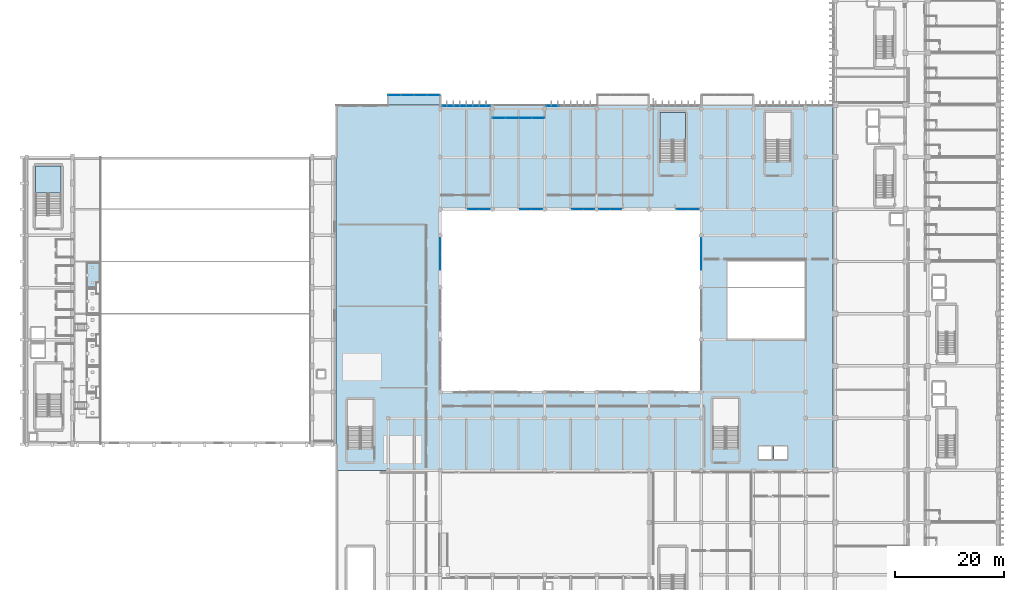
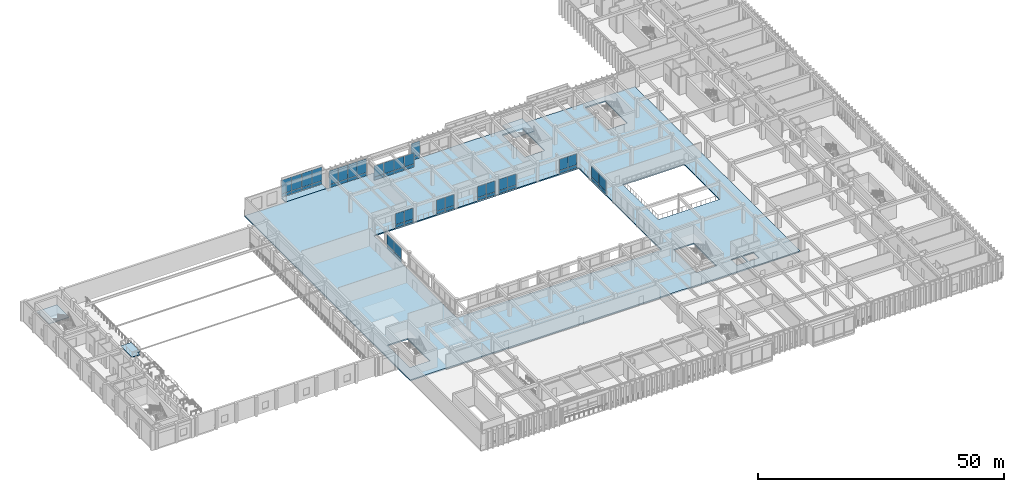
# One storey, part 91 of 133: 54 plates, 5 slabs, 13 elements without a shape of their own.
"""IFC4 building model written with IfcOpenShell, lengths in metres."""

from ifc_helpers import new_model, si_unit, direction, frame, origin, origin_2d, place, context, subcontext, project, spatial, polyline, rectangle, outline, extrude, material, layer, layer_set, type_object, element, aggregate, save


model = new_model("IFC4")

# Units and contexts
model_context = context("Model", 3, precision=1e-05, world=origin(), true_north=direction((0.0, 1.0)))
body_context = subcontext(model_context, "Body", "Model", "MODEL_VIEW")
ifc_project = project(units=[si_unit("LENGTHUNIT", "METRE"), si_unit("AREAUNIT", "SQUARE_METRE"), si_unit("VOLUMEUNIT", "CUBIC_METRE"), si_unit("PLANEANGLEUNIT", "RADIAN"), si_unit("MASSUNIT", "GRAM", prefix="KILO")], contexts=[model_context])

# Site, building, storey
site_placement = place(None, origin())
site = spatial("IfcSite", under=ifc_project, at=site_placement, CompositionType="ELEMENT")
building_placement = place(site_placement, origin())
building = spatial("IfcBuilding", under=site, at=building_placement, Name="Nakhvara Creek Congress Hotel", CompositionType="ELEMENT")
storey_placement = place(building_placement, frame((0.0, 0.0, 11.39990234375)))
storey = spatial("IfcBuildingStorey", under=building, at=storey_placement, Name="L02", CompositionType="ELEMENT", Elevation=11.39990234375)

# Curtain wall, plates
ifc_material_1 = material(Name="Bronze-anodised aluminium AW-6063-T6 and double-silver low-E glass", Category="aluminium")
ifc_layer_1 = layer(ifc_material_1, 0.199951171875)
ifc_layer_set_1 = layer_set([ifc_layer_1], Name="Bronze-anodised aluminium AW-6063-T6 and double-silver low-E glass")
curtain_wall_type_1 = type_object("IfcCurtainWallType", Name="CW-POD-STICK", PredefinedType="NOTDEFINED", material=ifc_layer_set_1)
curtain_wall_1_placement = place(storey_placement, origin())
curtain_wall_1 = element("IfcCurtainWall", 1, at=curtain_wall_1_placement, inside=storey, type_object=curtain_wall_type_1, Name="Curtain Wall CW034", PredefinedType="NOTDEFINED")
ifc_material_2 = material(Name="Double-silver solar-control low-E insulated glass", Category="glass")
plate_type = type_object("IfcPlateType", Name="PNL-GLZ-240X260", PredefinedType="CURTAIN_PANEL", material=ifc_material_2)
plate_1_placement = place(storey_placement, frame((84.9326171875, 76.800048828125, 0.065185546875), z_axis=(0.0, 0.0, 1.0), x_axis=(-1.0, 0.0, 0.0)))
plate_1 = element("IfcPlate", 2, at=plate_1_placement, type_object=plate_type, Name="CW034 panel 1.1", PredefinedType="CURTAIN_PANEL", context=body_context, shape_type="SweptSolid", body=[
    extrude(rectangle(XDim=1.97509765625, YDim=0.030029296875, at=origin_2d()), origin(), (0.0, 0.0, 1.0), 0.75244140625),
])
plate_2_placement = place(storey_placement, frame((84.9326171875, 76.800048828125, 0.8828125), z_axis=(0.0, 0.0, 1.0), x_axis=(-1.0, 0.0, 0.0)))
plate_2 = element("IfcPlate", 3, at=plate_2_placement, type_object=plate_type, Name="CW034 panel 1.2", PredefinedType="CURTAIN_PANEL", context=body_context, shape_type="SweptSolid", body=[
    extrude(rectangle(XDim=1.97509765625, YDim=0.030029296875, at=origin_2d()), origin(), (0.0, 0.0, 1.0), 2.744384765625),
])
plate_3_placement = place(storey_placement, frame((82.892578125, 76.800048828125, 0.065185546875), z_axis=(0.0, 0.0, 1.0), x_axis=(-1.0, 0.0, 0.0)))
plate_3 = element("IfcPlate", 4, at=plate_3_placement, type_object=plate_type, Name="CW034 panel 2.1", PredefinedType="CURTAIN_PANEL", context=body_context, shape_type="SweptSolid", body=[
    extrude(rectangle(XDim=1.97509765625, YDim=0.030029296875, at=origin_2d()), origin(), (0.0, 0.0, 1.0), 0.75244140625),
])
plate_4_placement = place(storey_placement, frame((82.892578125, 76.800048828125, 0.8828125), z_axis=(0.0, 0.0, 1.0), x_axis=(-1.0, 0.0, 0.0)))
plate_4 = element("IfcPlate", 5, at=plate_4_placement, type_object=plate_type, Name="CW034 panel 2.2", PredefinedType="CURTAIN_PANEL", context=body_context, shape_type="SweptSolid", body=[
    extrude(rectangle(XDim=1.97509765625, YDim=0.030029296875, at=origin_2d()), origin(), (0.0, 0.0, 1.0), 2.744384765625),
])
aggregate(curtain_wall_1, [plate_1, plate_2, plate_3, plate_4])

curtain_wall_2_placement = place(storey_placement, origin())
curtain_wall_2 = element("IfcCurtainWall", 6, at=curtain_wall_2_placement, inside=storey, type_object=curtain_wall_type_1, Name="Curtain Wall CW036", PredefinedType="NOTDEFINED")
plate_5_placement = place(storey_placement, frame((94.532470703125, 76.800048828125, 0.065185546875), z_axis=(0.0, 0.0, 1.0), x_axis=(-1.0, 0.0, 0.0)))
plate_5 = element("IfcPlate", 7, at=plate_5_placement, type_object=plate_type, Name="CW036 panel 1.1", PredefinedType="CURTAIN_PANEL", context=body_context, shape_type="SweptSolid", body=[
    extrude(rectangle(XDim=1.97509765625, YDim=0.030029296875, at=origin_2d()), origin(), (0.0, 0.0, 1.0), 0.75244140625),
])
plate_6_placement = place(storey_placement, frame((94.532470703125, 76.800048828125, 0.8828125), z_axis=(0.0, 0.0, 1.0), x_axis=(-1.0, 0.0, 0.0)))
plate_6 = element("IfcPlate", 8, at=plate_6_placement, type_object=plate_type, Name="CW036 panel 1.2", PredefinedType="CURTAIN_PANEL", context=body_context, shape_type="SweptSolid", body=[
    extrude(rectangle(XDim=1.97509765625, YDim=0.030029296875, at=origin_2d()), origin(), (0.0, 0.0, 1.0), 2.744384765625),
])
plate_7_placement = place(storey_placement, frame((92.492431640625, 76.800048828125, 0.065185546875), z_axis=(0.0, 0.0, 1.0), x_axis=(-1.0, 0.0, 0.0)))
plate_7 = element("IfcPlate", 9, at=plate_7_placement, type_object=plate_type, Name="CW036 panel 2.1", PredefinedType="CURTAIN_PANEL", context=body_context, shape_type="SweptSolid", body=[
    extrude(rectangle(XDim=1.97509765625, YDim=0.030029296875, at=origin_2d()), origin(), (0.0, 0.0, 1.0), 0.75244140625),
])
plate_8_placement = place(storey_placement, frame((92.492431640625, 76.800048828125, 0.8828125), z_axis=(0.0, 0.0, 1.0), x_axis=(-1.0, 0.0, 0.0)))
plate_8 = element("IfcPlate", 10, at=plate_8_placement, type_object=plate_type, Name="CW036 panel 2.2", PredefinedType="CURTAIN_PANEL", context=body_context, shape_type="SweptSolid", body=[
    extrude(rectangle(XDim=1.97509765625, YDim=0.030029296875, at=origin_2d()), origin(), (0.0, 0.0, 1.0), 2.744384765625),
])
aggregate(curtain_wall_2, [plate_5, plate_6, plate_7, plate_8])

curtain_wall_3_placement = place(storey_placement, origin())
curtain_wall_3 = element("IfcCurtainWall", 11, at=curtain_wall_3_placement, inside=storey, type_object=curtain_wall_type_1, Name="Curtain Wall CW038", PredefinedType="NOTDEFINED")
plate_9_placement = place(storey_placement, frame((104.132568359375, 76.800048828125, 0.065185546875), z_axis=(0.0, 0.0, 1.0), x_axis=(-1.0, 0.0, 0.0)))
plate_9 = element("IfcPlate", 12, at=plate_9_placement, type_object=plate_type, Name="CW038 panel 1.1", PredefinedType="CURTAIN_PANEL", context=body_context, shape_type="SweptSolid", body=[
    extrude(rectangle(XDim=1.97509765625, YDim=0.030029296875, at=origin_2d()), origin(), (0.0, 0.0, 1.0), 0.75244140625),
])
plate_10_placement = place(storey_placement, frame((104.132568359375, 76.800048828125, 0.8828125), z_axis=(0.0, 0.0, 1.0), x_axis=(-1.0, 0.0, 0.0)))
plate_10 = element("IfcPlate", 13, at=plate_10_placement, type_object=plate_type, Name="CW038 panel 1.2", PredefinedType="CURTAIN_PANEL", context=body_context, shape_type="SweptSolid", body=[
    extrude(rectangle(XDim=1.97509765625, YDim=0.030029296875, at=origin_2d()), origin(), (0.0, 0.0, 1.0), 2.744384765625),
])
plate_11_placement = place(storey_placement, frame((102.092529296875, 76.800048828125, 0.065185546875), z_axis=(0.0, 0.0, 1.0), x_axis=(-1.0, 0.0, 0.0)))
plate_11 = element("IfcPlate", 14, at=plate_11_placement, type_object=plate_type, Name="CW038 panel 2.1", PredefinedType="CURTAIN_PANEL", context=body_context, shape_type="SweptSolid", body=[
    extrude(rectangle(XDim=1.97509765625, YDim=0.030029296875, at=origin_2d()), origin(), (0.0, 0.0, 1.0), 0.75244140625),
])
plate_12_placement = place(storey_placement, frame((102.092529296875, 76.800048828125, 0.8828125), z_axis=(0.0, 0.0, 1.0), x_axis=(-1.0, 0.0, 0.0)))
plate_12 = element("IfcPlate", 15, at=plate_12_placement, type_object=plate_type, Name="CW038 panel 2.2", PredefinedType="CURTAIN_PANEL", context=body_context, shape_type="SweptSolid", body=[
    extrude(rectangle(XDim=1.97509765625, YDim=0.030029296875, at=origin_2d()), origin(), (0.0, 0.0, 1.0), 2.744384765625),
])
aggregate(curtain_wall_3, [plate_9, plate_10, plate_11, plate_12])

curtain_wall_4_placement = place(storey_placement, origin())
curtain_wall_4 = element("IfcCurtainWall", 16, at=curtain_wall_4_placement, inside=storey, type_object=curtain_wall_type_1, Name="Curtain Wall CW040", PredefinedType="NOTDEFINED")
plate_13_placement = place(storey_placement, frame((109.107421875, 76.800048828125, 0.065185546875), z_axis=(0.0, 0.0, 1.0), x_axis=(-1.0, 0.0, 0.0)))
plate_13 = element("IfcPlate", 17, at=plate_13_placement, type_object=plate_type, Name="CW040 panel 1.1", PredefinedType="CURTAIN_PANEL", context=body_context, shape_type="SweptSolid", body=[
    extrude(rectangle(XDim=1.97509765625, YDim=0.030029296875, at=origin_2d()), origin(), (0.0, 0.0, 1.0), 0.75244140625),
])
plate_14_placement = place(storey_placement, frame((109.107421875, 76.800048828125, 0.8828125), z_axis=(0.0, 0.0, 1.0), x_axis=(-1.0, 0.0, 0.0)))
plate_14 = element("IfcPlate", 18, at=plate_14_placement, type_object=plate_type, Name="CW040 panel 1.2", PredefinedType="CURTAIN_PANEL", context=body_context, shape_type="SweptSolid", body=[
    extrude(rectangle(XDim=1.97509765625, YDim=0.030029296875, at=origin_2d()), origin(), (0.0, 0.0, 1.0), 2.744384765625),
])
plate_15_placement = place(storey_placement, frame((107.0673828125, 76.800048828125, 0.065185546875), z_axis=(0.0, 0.0, 1.0), x_axis=(-1.0, 0.0, 0.0)))
plate_15 = element("IfcPlate", 19, at=plate_15_placement, type_object=plate_type, Name="CW040 panel 2.1", PredefinedType="CURTAIN_PANEL", context=body_context, shape_type="SweptSolid", body=[
    extrude(rectangle(XDim=1.97509765625, YDim=0.030029296875, at=origin_2d()), origin(), (0.0, 0.0, 1.0), 0.75244140625),
])
plate_16_placement = place(storey_placement, frame((107.0673828125, 76.800048828125, 0.8828125), z_axis=(0.0, 0.0, 1.0), x_axis=(-1.0, 0.0, 0.0)))
plate_16 = element("IfcPlate", 20, at=plate_16_placement, type_object=plate_type, Name="CW040 panel 2.2", PredefinedType="CURTAIN_PANEL", context=body_context, shape_type="SweptSolid", body=[
    extrude(rectangle(XDim=1.97509765625, YDim=0.030029296875, at=origin_2d()), origin(), (0.0, 0.0, 1.0), 2.744384765625),
])
aggregate(curtain_wall_4, [plate_13, plate_14, plate_15, plate_16])

curtain_wall_5_placement = place(storey_placement, origin())
curtain_wall_5 = element("IfcCurtainWall", 21, at=curtain_wall_5_placement, inside=storey, type_object=curtain_wall_type_1, Name="Curtain Wall CW042", PredefinedType="NOTDEFINED")
plate_17_placement = place(storey_placement, frame((123.33251953125, 76.800048828125, 0.065185546875), z_axis=(0.0, 0.0, 1.0), x_axis=(-1.0, 0.0, 0.0)))
plate_17 = element("IfcPlate", 22, at=plate_17_placement, type_object=plate_type, Name="CW042 panel 1.1", PredefinedType="CURTAIN_PANEL", context=body_context, shape_type="SweptSolid", body=[
    extrude(rectangle(XDim=1.97509765625, YDim=0.030029296875, at=origin_2d()), origin(), (0.0, 0.0, 1.0), 0.75244140625),
])
plate_18_placement = place(storey_placement, frame((123.33251953125, 76.800048828125, 0.8828125), z_axis=(0.0, 0.0, 1.0), x_axis=(-1.0, 0.0, 0.0)))
plate_18 = element("IfcPlate", 23, at=plate_18_placement, type_object=plate_type, Name="CW042 panel 1.2", PredefinedType="CURTAIN_PANEL", context=body_context, shape_type="SweptSolid", body=[
    extrude(rectangle(XDim=1.97509765625, YDim=0.030029296875, at=origin_2d()), origin(), (0.0, 0.0, 1.0), 2.744384765625),
])
plate_19_placement = place(storey_placement, frame((121.29248046875, 76.800048828125, 0.065185546875), z_axis=(0.0, 0.0, 1.0), x_axis=(-1.0, 0.0, 0.0)))
plate_19 = element("IfcPlate", 24, at=plate_19_placement, type_object=plate_type, Name="CW042 panel 2.1", PredefinedType="CURTAIN_PANEL", context=body_context, shape_type="SweptSolid", body=[
    extrude(rectangle(XDim=1.97509765625, YDim=0.030029296875, at=origin_2d()), origin(), (0.0, 0.0, 1.0), 0.75244140625),
])
plate_20_placement = place(storey_placement, frame((121.29248046875, 76.800048828125, 0.8828125), z_axis=(0.0, 0.0, 1.0), x_axis=(-1.0, 0.0, 0.0)))
plate_20 = element("IfcPlate", 25, at=plate_20_placement, type_object=plate_type, Name="CW042 panel 2.2", PredefinedType="CURTAIN_PANEL", context=body_context, shape_type="SweptSolid", body=[
    extrude(rectangle(XDim=1.97509765625, YDim=0.030029296875, at=origin_2d()), origin(), (0.0, 0.0, 1.0), 2.744384765625),
])
aggregate(curtain_wall_5, [plate_17, plate_18, plate_19, plate_20])

curtain_wall_6_placement = place(storey_placement, origin())
curtain_wall_6 = element("IfcCurtainWall", 26, at=curtain_wall_6_placement, inside=storey, type_object=curtain_wall_type_1, Name="Curtain Wall CW047", PredefinedType="NOTDEFINED")
plate_21_placement = place(storey_placement, frame((76.800048828125, 70.072509765625, 0.065185546875), z_axis=(0.0, 0.0, 1.0), x_axis=(0.0, -1.0, 0.0)))
plate_21 = element("IfcPlate", 27, at=plate_21_placement, type_object=plate_type, Name="CW047 panel 1.1", PredefinedType="CURTAIN_PANEL", context=body_context, shape_type="SweptSolid", body=[
    extrude(rectangle(XDim=2.89501953125, YDim=0.030029296875, at=origin_2d()), origin(), (0.0, 0.0, 1.0), 0.75244140625),
])
plate_22_placement = place(storey_placement, frame((76.800048828125, 70.072509765625, 0.8828125), z_axis=(0.0, 0.0, 1.0), x_axis=(0.0, -1.0, 0.0)))
plate_22 = element("IfcPlate", 28, at=plate_22_placement, type_object=plate_type, Name="CW047 panel 1.2", PredefinedType="CURTAIN_PANEL", context=body_context, shape_type="SweptSolid", body=[
    extrude(rectangle(XDim=2.89501953125, YDim=0.030029296875, at=origin_2d()), origin(), (0.0, 0.0, 1.0), 2.744384765625),
])
plate_23_placement = place(storey_placement, frame((76.800048828125, 67.112548828125, 0.065185546875), z_axis=(0.0, 0.0, 1.0), x_axis=(0.0, -1.0, 0.0)))
plate_23 = element("IfcPlate", 29, at=plate_23_placement, type_object=plate_type, Name="CW047 panel 2.1", PredefinedType="CURTAIN_PANEL", context=body_context, shape_type="SweptSolid", body=[
    extrude(rectangle(XDim=2.89501953125, YDim=0.030029296875, at=origin_2d()), origin(), (0.0, 0.0, 1.0), 0.75244140625),
])
plate_24_placement = place(storey_placement, frame((76.800048828125, 67.112548828125, 0.8828125), z_axis=(0.0, 0.0, 1.0), x_axis=(0.0, -1.0, 0.0)))
plate_24 = element("IfcPlate", 30, at=plate_24_placement, type_object=plate_type, Name="CW047 panel 2.2", PredefinedType="CURTAIN_PANEL", context=body_context, shape_type="SweptSolid", body=[
    extrude(rectangle(XDim=2.89501953125, YDim=0.030029296875, at=origin_2d()), origin(), (0.0, 0.0, 1.0), 2.744384765625),
])
aggregate(curtain_wall_6, [plate_21, plate_22, plate_23, plate_24])

curtain_wall_7_placement = place(storey_placement, origin())
curtain_wall_7 = element("IfcCurtainWall", 31, at=curtain_wall_7_placement, inside=storey, type_object=curtain_wall_type_1, Name="Curtain Wall CW048", PredefinedType="NOTDEFINED")
plate_25_placement = place(storey_placement, frame((124.800048828125, 67.112548828125, 0.065185546875), z_axis=(0.0, 0.0, 1.0), x_axis=(0.0, 1.0, 0.0)))
plate_25 = element("IfcPlate", 32, at=plate_25_placement, type_object=plate_type, Name="CW048 panel 1.1", PredefinedType="CURTAIN_PANEL", context=body_context, shape_type="SweptSolid", body=[
    extrude(rectangle(XDim=2.89501953125, YDim=0.030029296875, at=origin_2d()), origin(), (0.0, 0.0, 1.0), 0.75244140625),
])
plate_26_placement = place(storey_placement, frame((124.800048828125, 67.112548828125, 0.8828125), z_axis=(0.0, 0.0, 1.0), x_axis=(0.0, 1.0, 0.0)))
plate_26 = element("IfcPlate", 33, at=plate_26_placement, type_object=plate_type, Name="CW048 panel 1.2", PredefinedType="CURTAIN_PANEL", context=body_context, shape_type="SweptSolid", body=[
    extrude(rectangle(XDim=2.89501953125, YDim=0.030029296875, at=origin_2d()), origin(), (0.0, 0.0, 1.0), 2.744384765625),
])
plate_27_placement = place(storey_placement, frame((124.800048828125, 70.072509765625, 0.065185546875), z_axis=(0.0, 0.0, 1.0), x_axis=(0.0, 1.0, 0.0)))
plate_27 = element("IfcPlate", 34, at=plate_27_placement, type_object=plate_type, Name="CW048 panel 2.1", PredefinedType="CURTAIN_PANEL", context=body_context, shape_type="SweptSolid", body=[
    extrude(rectangle(XDim=2.89501953125, YDim=0.030029296875, at=origin_2d()), origin(), (0.0, 0.0, 1.0), 0.75244140625),
])
plate_28_placement = place(storey_placement, frame((124.800048828125, 70.072509765625, 0.8828125), z_axis=(0.0, 0.0, 1.0), x_axis=(0.0, 1.0, 0.0)))
plate_28 = element("IfcPlate", 35, at=plate_28_placement, type_object=plate_type, Name="CW048 panel 2.2", PredefinedType="CURTAIN_PANEL", context=body_context, shape_type="SweptSolid", body=[
    extrude(rectangle(XDim=2.89501953125, YDim=0.030029296875, at=origin_2d()), origin(), (0.0, 0.0, 1.0), 2.744384765625),
])
aggregate(curtain_wall_7, [plate_25, plate_26, plate_27, plate_28])

ifc_layer_2 = layer(ifc_material_1, 0.219970703125)
ifc_layer_set_2 = layer_set([ifc_layer_2], Name="Bronze-anodised aluminium AW-6063-T6 and double-silver low-E glass")
curtain_wall_type_2 = type_object("IfcCurtainWallType", Name="CW-BOX-PROJ", PredefinedType="USERDEFINED", material=ifc_layer_set_2)
curtain_wall_8_placement = place(storey_placement, origin())
curtain_wall_8 = element("IfcCurtainWall", 36, at=curtain_wall_8_placement, inside=storey, type_object=curtain_wall_type_2, Name="Curtain Wall CW081", ObjectType="UNITISED", PredefinedType="USERDEFINED")
plate_29_placement = place(storey_placement, frame((68.419921875, 97.800048828125, 0.0751953125), z_axis=(0.0, 0.0, 1.0), x_axis=(1.0, 0.0, 0.0)))
plate_29 = element("IfcPlate", 37, at=plate_29_placement, type_object=plate_type, Name="CW081 panel 1.1", PredefinedType="CURTAIN_PANEL", context=body_context, shape_type="SweptSolid", body=[
    extrude(rectangle(XDim=2.280029296875, YDim=0.030029296875, at=origin_2d()), origin(), (0.0, 0.0, 1.0), 0.737548828125),
])
plate_30_placement = place(storey_placement, frame((68.419921875, 97.800048828125, 0.8876953125), z_axis=(0.0, 0.0, 1.0), x_axis=(1.0, 0.0, 0.0)))
plate_30 = element("IfcPlate", 38, at=plate_30_placement, type_object=plate_type, Name="CW081 panel 1.2", PredefinedType="CURTAIN_PANEL", context=body_context, shape_type="SweptSolid", body=[
    extrude(rectangle(XDim=2.280029296875, YDim=0.030029296875, at=origin_2d()), origin(), (0.0, 0.0, 1.0), 3.427490234375),
])
plate_31_placement = place(storey_placement, frame((70.800048828125, 97.800048828125, 0.0751953125), z_axis=(0.0, 0.0, 1.0), x_axis=(1.0, 0.0, 0.0)))
plate_31 = element("IfcPlate", 39, at=plate_31_placement, type_object=plate_type, Name="CW081 panel 2.1", PredefinedType="CURTAIN_PANEL", context=body_context, shape_type="SweptSolid", body=[
    extrude(rectangle(XDim=2.320068359375, YDim=0.030029296875, at=origin_2d()), origin(), (0.0, 0.0, 1.0), 0.737548828125),
])
plate_32_placement = place(storey_placement, frame((70.800048828125, 97.800048828125, 0.8876953125), z_axis=(0.0, 0.0, 1.0), x_axis=(1.0, 0.0, 0.0)))
plate_32 = element("IfcPlate", 40, at=plate_32_placement, type_object=plate_type, Name="CW081 panel 2.2", PredefinedType="CURTAIN_PANEL", context=body_context, shape_type="SweptSolid", body=[
    extrude(rectangle(XDim=2.320068359375, YDim=0.030029296875, at=origin_2d()), origin(), (0.0, 0.0, 1.0), 3.427490234375),
])
plate_33_placement = place(storey_placement, frame((73.199951171875, 97.800048828125, 0.0751953125), z_axis=(0.0, 0.0, 1.0), x_axis=(1.0, 0.0, 0.0)))
plate_33 = element("IfcPlate", 41, at=plate_33_placement, type_object=plate_type, Name="CW081 panel 3.1", PredefinedType="CURTAIN_PANEL", context=body_context, shape_type="SweptSolid", body=[
    extrude(rectangle(XDim=2.320068359375, YDim=0.030029296875, at=origin_2d()), origin(), (0.0, 0.0, 1.0), 0.737548828125),
])
plate_34_placement = place(storey_placement, frame((73.199951171875, 97.800048828125, 0.8876953125), z_axis=(0.0, 0.0, 1.0), x_axis=(1.0, 0.0, 0.0)))
plate_34 = element("IfcPlate", 42, at=plate_34_placement, type_object=plate_type, Name="CW081 panel 3.2", PredefinedType="CURTAIN_PANEL", context=body_context, shape_type="SweptSolid", body=[
    extrude(rectangle(XDim=2.320068359375, YDim=0.030029296875, at=origin_2d()), origin(), (0.0, 0.0, 1.0), 3.427490234375),
])
plate_35_placement = place(storey_placement, frame((75.580078125, 97.800048828125, 0.0751953125), z_axis=(0.0, 0.0, 1.0), x_axis=(1.0, 0.0, 0.0)))
plate_35 = element("IfcPlate", 43, at=plate_35_placement, type_object=plate_type, Name="CW081 panel 4.1", PredefinedType="CURTAIN_PANEL", context=body_context, shape_type="SweptSolid", body=[
    extrude(rectangle(XDim=2.280029296875, YDim=0.030029296875, at=origin_2d()), origin(), (0.0, 0.0, 1.0), 0.737548828125),
])
plate_36_placement = place(storey_placement, frame((75.580078125, 97.800048828125, 0.8876953125), z_axis=(0.0, 0.0, 1.0), x_axis=(1.0, 0.0, 0.0)))
plate_36 = element("IfcPlate", 44, at=plate_36_placement, type_object=plate_type, Name="CW081 panel 4.2", PredefinedType="CURTAIN_PANEL", context=body_context, shape_type="SweptSolid", body=[
    extrude(rectangle(XDim=2.280029296875, YDim=0.030029296875, at=origin_2d()), origin(), (0.0, 0.0, 1.0), 3.427490234375),
])
aggregate(curtain_wall_8, [plate_29, plate_30, plate_31, plate_32, plate_33, plate_34, plate_35, plate_36])

ifc_layer_3 = layer(ifc_material_1, 0.219970703125)
ifc_layer_set_3 = layer_set([ifc_layer_3], Name="Bronze-anodised aluminium AW-6063-T6 and double-silver low-E glass")
curtain_wall_type_3 = type_object("IfcCurtainWallType", Name="CW-BOX-REC", PredefinedType="USERDEFINED", material=ifc_layer_set_3)
curtain_wall_9_placement = place(storey_placement, origin())
curtain_wall_9 = element("IfcCurtainWall", 45, at=curtain_wall_9_placement, inside=storey, type_object=curtain_wall_type_3, Name="Curtain Wall CW084", ObjectType="UNITISED", PredefinedType="USERDEFINED")
plate_37_placement = place(storey_placement, frame((87.61865234375, 93.60009765625, 0.0751953125), z_axis=(0.0, 0.0, 1.0), x_axis=(1.0, 0.0, 0.0)))
plate_37 = element("IfcPlate", 46, at=plate_37_placement, type_object=plate_type, Name="CW084 panel 1.1", PredefinedType="CURTAIN_PANEL", context=body_context, shape_type="SweptSolid", body=[
    extrude(rectangle(XDim=2.28759765625, YDim=0.030029296875, at=origin_2d()), origin(), (0.0, 0.0, 1.0), 0.737548828125),
])
plate_38_placement = place(storey_placement, frame((87.61865234375, 93.60009765625, 0.8876953125), z_axis=(0.0, 0.0, 1.0), x_axis=(1.0, 0.0, 0.0)))
plate_38 = element("IfcPlate", 47, at=plate_38_placement, type_object=plate_type, Name="CW084 panel 1.2", PredefinedType="CURTAIN_PANEL", context=body_context, shape_type="SweptSolid", body=[
    extrude(rectangle(XDim=2.28759765625, YDim=0.030029296875, at=origin_2d()), origin(), (0.0, 0.0, 1.0), 2.7294921875),
])
plate_39_placement = place(storey_placement, frame((90.0, 93.60009765625, 0.0751953125), z_axis=(0.0, 0.0, 1.0), x_axis=(1.0, 0.0, 0.0)))
plate_39 = element("IfcPlate", 48, at=plate_39_placement, type_object=plate_type, Name="CW084 panel 2.1", PredefinedType="CURTAIN_PANEL", context=body_context, shape_type="SweptSolid", body=[
    extrude(rectangle(XDim=2.324951171875, YDim=0.030029296875, at=origin_2d()), origin(), (0.0, 0.0, 1.0), 0.737548828125),
])
plate_40_placement = place(storey_placement, frame((90.0, 93.60009765625, 0.8876953125), z_axis=(0.0, 0.0, 1.0), x_axis=(1.0, 0.0, 0.0)))
plate_40 = element("IfcPlate", 49, at=plate_40_placement, type_object=plate_type, Name="CW084 panel 2.2", PredefinedType="CURTAIN_PANEL", context=body_context, shape_type="SweptSolid", body=[
    extrude(rectangle(XDim=2.324951171875, YDim=0.030029296875, at=origin_2d()), origin(), (0.0, 0.0, 1.0), 2.7294921875),
])
plate_41_placement = place(storey_placement, frame((92.39990234375, 93.60009765625, 0.0751953125), z_axis=(0.0, 0.0, 1.0), x_axis=(1.0, 0.0, 0.0)))
plate_41 = element("IfcPlate", 50, at=plate_41_placement, type_object=plate_type, Name="CW084 panel 3.1", PredefinedType="CURTAIN_PANEL", context=body_context, shape_type="SweptSolid", body=[
    extrude(rectangle(XDim=2.324951171875, YDim=0.030029296875, at=origin_2d()), origin(), (0.0, 0.0, 1.0), 0.737548828125),
])
plate_42_placement = place(storey_placement, frame((92.39990234375, 93.60009765625, 0.8876953125), z_axis=(0.0, 0.0, 1.0), x_axis=(1.0, 0.0, 0.0)))
plate_42 = element("IfcPlate", 51, at=plate_42_placement, type_object=plate_type, Name="CW084 panel 3.2", PredefinedType="CURTAIN_PANEL", context=body_context, shape_type="SweptSolid", body=[
    extrude(rectangle(XDim=2.324951171875, YDim=0.030029296875, at=origin_2d()), origin(), (0.0, 0.0, 1.0), 2.7294921875),
])
plate_43_placement = place(storey_placement, frame((94.78125, 93.60009765625, 0.0751953125), z_axis=(0.0, 0.0, 1.0), x_axis=(1.0, 0.0, 0.0)))
plate_43 = element("IfcPlate", 52, at=plate_43_placement, type_object=plate_type, Name="CW084 panel 4.1", PredefinedType="CURTAIN_PANEL", context=body_context, shape_type="SweptSolid", body=[
    extrude(rectangle(XDim=2.28759765625, YDim=0.030029296875, at=origin_2d()), origin(), (0.0, 0.0, 1.0), 0.737548828125),
])
plate_44_placement = place(storey_placement, frame((94.78125, 93.60009765625, 0.8876953125), z_axis=(0.0, 0.0, 1.0), x_axis=(1.0, 0.0, 0.0)))
plate_44 = element("IfcPlate", 53, at=plate_44_placement, type_object=plate_type, Name="CW084 panel 4.2", PredefinedType="CURTAIN_PANEL", context=body_context, shape_type="SweptSolid", body=[
    extrude(rectangle(XDim=2.28759765625, YDim=0.030029296875, at=origin_2d()), origin(), (0.0, 0.0, 1.0), 2.7294921875),
])
aggregate(curtain_wall_9, [plate_37, plate_38, plate_39, plate_40, plate_41, plate_42, plate_43, plate_44])

curtain_wall_10_placement = place(storey_placement, origin())
curtain_wall_10 = element("IfcCurtainWall", 54, at=curtain_wall_10_placement, inside=storey, type_object=curtain_wall_type_1, Name="Curtain Wall CW085", PredefinedType="NOTDEFINED")
plate_45_placement = place(storey_placement, frame((78.2900390625, 95.800048828125, 0.065185546875), z_axis=(0.0, 0.0, 1.0), x_axis=(1.0, 0.0, 0.0)))
plate_45 = element("IfcPlate", 55, at=plate_45_placement, type_object=plate_type, Name="CW085 panel 1.1", PredefinedType="CURTAIN_PANEL", context=body_context, shape_type="SweptSolid", body=[
    extrude(rectangle(XDim=2.1201171875, YDim=0.030029296875, at=origin_2d()), origin(), (0.0, 0.0, 1.0), 0.75244140625),
])
plate_46_placement = place(storey_placement, frame((78.2900390625, 95.800048828125, 0.882568359375), z_axis=(0.0, 0.0, 1.0), x_axis=(1.0, 0.0, 0.0)))
plate_46 = element("IfcPlate", 56, at=plate_46_placement, type_object=plate_type, Name="CW085 panel 1.2", PredefinedType="CURTAIN_PANEL", context=body_context, shape_type="SweptSolid", body=[
    extrude(rectangle(XDim=2.1201171875, YDim=0.030029296875, at=origin_2d()), origin(), (0.0, 0.0, 1.0), 3.4423828125),
])
plate_47_placement = place(storey_placement, frame((80.4912109375, 95.800048828125, 0.065185546875), z_axis=(0.0, 0.0, 1.0), x_axis=(1.0, 0.0, 0.0)))
plate_47 = element("IfcPlate", 57, at=plate_47_placement, type_object=plate_type, Name="CW085 panel 2.1", PredefinedType="CURTAIN_PANEL", context=body_context, shape_type="SweptSolid", body=[
    extrude(rectangle(XDim=2.152587890625, YDim=0.030029296875, at=origin_2d()), origin(), (0.0, 0.0, 1.0), 0.75244140625),
])
plate_48_placement = place(storey_placement, frame((80.4912109375, 95.800048828125, 0.882568359375), z_axis=(0.0, 0.0, 1.0), x_axis=(1.0, 0.0, 0.0)))
plate_48 = element("IfcPlate", 58, at=plate_48_placement, type_object=plate_type, Name="CW085 panel 2.2", PredefinedType="CURTAIN_PANEL", context=body_context, shape_type="SweptSolid", body=[
    extrude(rectangle(XDim=2.152587890625, YDim=0.030029296875, at=origin_2d()), origin(), (0.0, 0.0, 1.0), 3.4423828125),
])
plate_49_placement = place(storey_placement, frame((82.708740234375, 95.800048828125, 0.065185546875), z_axis=(0.0, 0.0, 1.0), x_axis=(1.0, 0.0, 0.0)))
plate_49 = element("IfcPlate", 59, at=plate_49_placement, type_object=plate_type, Name="CW085 panel 3.1", PredefinedType="CURTAIN_PANEL", context=body_context, shape_type="SweptSolid", body=[
    extrude(rectangle(XDim=2.152587890625, YDim=0.030029296875, at=origin_2d()), origin(), (0.0, 0.0, 1.0), 0.75244140625),
])
plate_50_placement = place(storey_placement, frame((82.708740234375, 95.800048828125, 0.882568359375), z_axis=(0.0, 0.0, 1.0), x_axis=(1.0, 0.0, 0.0)))
plate_50 = element("IfcPlate", 60, at=plate_50_placement, type_object=plate_type, Name="CW085 panel 3.2", PredefinedType="CURTAIN_PANEL", context=body_context, shape_type="SweptSolid", body=[
    extrude(rectangle(XDim=2.152587890625, YDim=0.030029296875, at=origin_2d()), origin(), (0.0, 0.0, 1.0), 3.4423828125),
])
plate_51_placement = place(storey_placement, frame((84.909912109375, 95.800048828125, 0.065185546875), z_axis=(0.0, 0.0, 1.0), x_axis=(1.0, 0.0, 0.0)))
plate_51 = element("IfcPlate", 61, at=plate_51_placement, type_object=plate_type, Name="CW085 panel 4.1", PredefinedType="CURTAIN_PANEL", context=body_context, shape_type="SweptSolid", body=[
    extrude(rectangle(XDim=2.1201171875, YDim=0.030029296875, at=origin_2d()), origin(), (0.0, 0.0, 1.0), 0.75244140625),
])
plate_52_placement = place(storey_placement, frame((84.909912109375, 95.800048828125, 0.882568359375), z_axis=(0.0, 0.0, 1.0), x_axis=(1.0, 0.0, 0.0)))
plate_52 = element("IfcPlate", 62, at=plate_52_placement, type_object=plate_type, Name="CW085 panel 4.2", PredefinedType="CURTAIN_PANEL", context=body_context, shape_type="SweptSolid", body=[
    extrude(rectangle(XDim=2.1201171875, YDim=0.030029296875, at=origin_2d()), origin(), (0.0, 0.0, 1.0), 3.4423828125),
])
aggregate(curtain_wall_10, [plate_45, plate_46, plate_47, plate_48, plate_49, plate_50, plate_51, plate_52])

curtain_wall_11_placement = place(storey_placement, origin())
curtain_wall_11 = element("IfcCurtainWall", 63, at=curtain_wall_11_placement, inside=storey, type_object=curtain_wall_type_1, Name="Curtain Wall CW086", PredefinedType="NOTDEFINED")
plate_53_placement = place(storey_placement, frame((97.489990234375, 95.800048828125, 0.065185546875), z_axis=(0.0, 0.0, 1.0), x_axis=(1.0, 0.0, 0.0)))
plate_53 = element("IfcPlate", 64, at=plate_53_placement, type_object=plate_type, Name="CW086 panel 1.1", PredefinedType="CURTAIN_PANEL", context=body_context, shape_type="SweptSolid", body=[
    extrude(rectangle(XDim=2.1201171875, YDim=0.030029296875, at=origin_2d()), origin(), (0.0, 0.0, 1.0), 0.75244140625),
])
plate_54_placement = place(storey_placement, frame((97.489990234375, 95.800048828125, 0.882568359375), z_axis=(0.0, 0.0, 1.0), x_axis=(1.0, 0.0, 0.0)))
plate_54 = element("IfcPlate", 65, at=plate_54_placement, type_object=plate_type, Name="CW086 panel 1.2", PredefinedType="CURTAIN_PANEL", context=body_context, shape_type="SweptSolid", body=[
    extrude(rectangle(XDim=2.1201171875, YDim=0.030029296875, at=origin_2d()), origin(), (0.0, 0.0, 1.0), 3.4423828125),
])
aggregate(curtain_wall_11, [plate_53, plate_54])

# Slabs
ifc_material_3 = material(Name="Concrete C40/50", Category="concrete")
ifc_layer_4 = layer(ifc_material_3, 0.219970703125)
ifc_layer_set_4 = layer_set([ifc_layer_4], Name="Concrete C40/50")
slab_type_1 = type_object("IfcSlabType", Name="SL-FLR-220", PredefinedType="FLOOR", material=ifc_layer_set_4)
slab_1_placement = place(storey_placement, frame((0.0, 0.0, -0.219970703125)))
element("IfcSlab", 66, at=slab_1_placement, inside=storey, type_object=slab_type_1, Name="Structural Slab SLB-PBOX-L02-N1", PredefinedType="FLOOR", context=body_context, shape_type="SweptSolid", body=[
    extrude(outline(polyline([(67.199951171875, 96.0), (76.800048828125, 96.0), (76.800048828125, 97.800048828125), (67.199951171875, 97.800048828125), (67.199951171875, 96.0)])), origin(), (0.0, 0.0, 1.0), 0.219970703125),
])
ifc_layer_5 = layer(ifc_material_3, 0.300048828125)
ifc_layer_set_5 = layer_set([ifc_layer_5], Name="Concrete C40/50")
slab_type_2 = type_object("IfcSlabType", Name="SL-FLR-300", PredefinedType="FLOOR", material=ifc_layer_set_5)
slab_2_placement = place(storey_placement, frame((0.0, 0.0, -0.2998046875)))
element("IfcSlab", 67, at=slab_2_placement, inside=storey, type_object=slab_type_2, Name="Structural Slab SLB-L02-V3", PredefinedType="FLOOR", context=body_context, shape_type="SweptSolid", body=[
    extrude(outline(polyline([(57.60009765625, 96.0), (149.050048828125, 96.0), (149.050048828125, 28.800048828125), (57.60009765625, 28.800048828125), (57.60009765625, 96.0)]), holes=[polyline([(137.800048828125, 30.800048828125), (137.800048828125, 33.199951171875), (135.39990234375, 33.199951171875), (135.39990234375, 30.800048828125), (137.800048828125, 30.800048828125)]), polyline([(140.60009765625, 30.800048828125), (140.60009765625, 33.199951171875), (138.199951171875, 33.199951171875), (138.199951171875, 30.800048828125), (140.60009765625, 30.800048828125)]), polyline([(64.47998046875, 41.800048828125), (59.77001953125, 41.800048828125), (59.77001953125, 32.679931640625), (64.47998046875, 32.679931640625), (64.47998046875, 41.800048828125)]), polyline([(131.659912109375, 42.0), (126.949951171875, 42.0), (126.949951171875, 32.679931640625), (131.659912109375, 32.679931640625), (131.659912109375, 42.0)]), polyline([(124.800048828125, 43.199951171875), (124.800048828125, 76.800048828125), (76.800048828125, 76.800048828125), (76.800048828125, 43.199951171875), (124.800048828125, 43.199951171875)]), polyline([(144.0, 52.800048828125), (144.0, 67.199951171875), (129.60009765625, 67.199951171875), (129.60009765625, 52.800048828125), (144.0, 52.800048828125)]), polyline([(121.8798828125, 94.60009765625), (117.169921875, 94.60009765625), (117.169921875, 85.47998046875), (121.8798828125, 85.47998046875), (121.8798828125, 94.60009765625)]), polyline([(141.280029296875, 94.60009765625), (136.570068359375, 94.60009765625), (136.570068359375, 85.47998046875), (141.280029296875, 85.47998046875), (141.280029296875, 94.60009765625)])]), origin(), (0.0, 0.0, 1.0), 0.2998046875),
])

# Stair, slab
stair_type = type_object("IfcStairType", Name="ST-CORE-230", PredefinedType="HALF_TURN_STAIR", material=ifc_material_3)
stair_1_placement = place(storey_placement, origin())
stair_1 = element("IfcStair", 68, at=stair_1_placement, inside=storey, type_object=stair_type, Name="L02 Protected Exit Stair ST07", PredefinedType="HALF_TURN_STAIR")
ifc_layer_6 = layer(ifc_material_3, 0.199951171875)
ifc_layer_set_6 = layer_set([ifc_layer_6], Name="Concrete C40/50")
slab_type_3 = type_object("IfcSlabType", Name="SL-LAND-200", PredefinedType="LANDING", material=ifc_layer_set_6)
slab_3_placement = place(storey_placement, frame((0.0, 0.0, 2.2001953125)))
slab_3 = element("IfcSlab", 69, at=slab_3_placement, type_object=slab_type_3, Name="ST07 landing 1", PredefinedType="LANDING", context=body_context, shape_type="SweptSolid", body=[
    extrude(outline(polyline([(7.080078125, 79.77490234375), (7.080078125, 84.800048828125), (2.3701171875, 84.800048828125), (2.3701171875, 79.77490234375), (7.080078125, 79.77490234375)])), origin(), (0.0, 0.0, 1.0), 0.199951171875),
])
aggregate(stair_1, [slab_3])

stair_2_placement = place(storey_placement, origin())
stair_2 = element("IfcStair", 70, at=stair_2_placement, inside=storey, type_object=stair_type, Name="L02 Protected Exit Stair ST09", PredefinedType="HALF_TURN_STAIR")
slab_4_placement = place(storey_placement, frame((0.0, 0.0, 2.2001953125)))
slab_4 = element("IfcSlab", 71, at=slab_4_placement, type_object=slab_type_3, Name="ST09 landing 1", PredefinedType="LANDING", context=body_context, shape_type="SweptSolid", body=[
    extrude(outline(polyline([(121.8798828125, 89.574951171875), (121.8798828125, 94.60009765625), (117.169921875, 94.60009765625), (117.169921875, 89.574951171875), (121.8798828125, 89.574951171875)])), origin(), (0.0, 0.0, 1.0), 0.199951171875),
])
aggregate(stair_2, [slab_4])

# Slab
ifc_material_4 = material(Name="Precast concrete C40/50", Category="concrete")
ifc_layer_7 = layer(ifc_material_4, 0.175048828125)
ifc_layer_set_7 = layer_set([ifc_layer_7], Name="Precast concrete C40/50")
slab_type_4 = type_object("IfcSlabType", Name="SL-TIER-175", PredefinedType="USERDEFINED", material=ifc_layer_set_7)
slab_5_placement = place(storey_placement, frame((0.0, 0.0, 1.175048828125)))
element("IfcSlab", 72, at=slab_5_placement, inside=storey, type_object=slab_type_4, Name="Stand Upper Circle Bay 6", ObjectType="SEATING TIER", PredefinedType="USERDEFINED", context=body_context, shape_type="SweptSolid", body=[
    extrude(outline(polyline([(11.75, 62.39990234375), (13.590087890625, 62.39990234375), (13.590087890625, 63.300048828125), (14.239990234375, 63.300048828125), (14.239990234375, 67.0), (11.75, 67.0), (11.75, 62.39990234375)])), origin(), (0.0, 0.0, 1.0), 0.175048828125),
])

save(model, "model.ifc")
